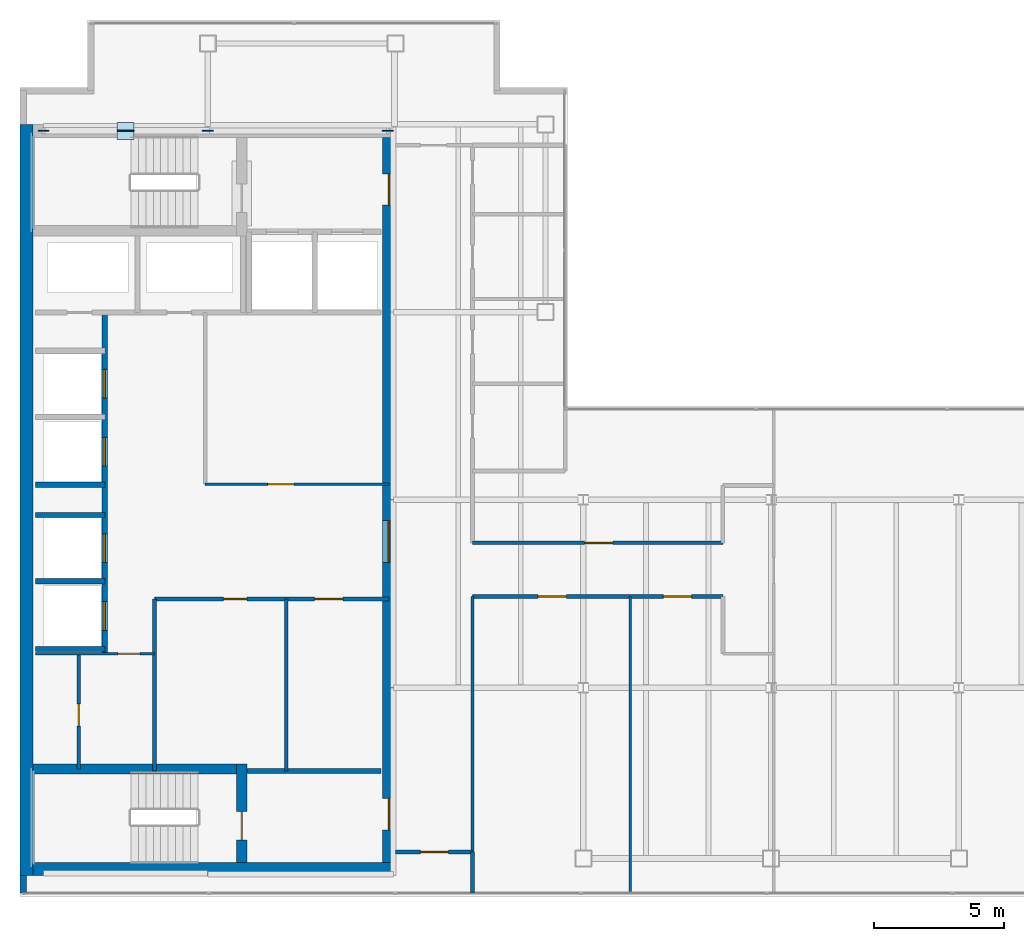
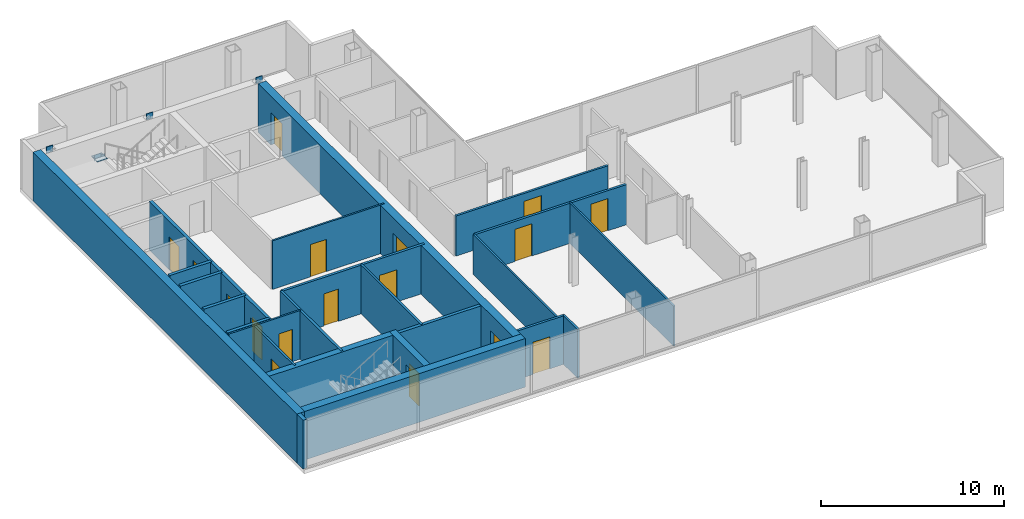
# One storey, part 20 of 23: 24 walls, 17 doors, 6 plates, 17 openings.
"""IFC4 building model written with IfcOpenShell, lengths in metres."""

import ifcopenshell
import ifcopenshell.guid

model = None  # the IFC model being written
_history = None  # IfcOwnerHistory: only IFC2X3 demands one
_inside = {}  # id of a spatial element -> (the spatial element, [elements in it])
_under = {}  # id of a project, library or spatial element -> (it, [spatial elements below it])
_declared = {}  # id of a project -> (the project, [libraries it declares])
_typed = {}  # id of a type object -> (the type object, [elements of that type])
_made_of = {}  # id of a material, layer set ... -> (it, [elements and type objects made of it])


def new_model(schema):
    """Start an empty IFC model of exactly this schema.

    Asked for "IFC4X3", IfcOpenShell would pick the latest addendum, in which some entities
    have other attributes; the version numbers below select the first issue.
    IFC2X3 requires an IfcOwnerHistory on every rooted entity: one is made here for all.
    """
    global model, _history
    if schema == "IFC4X3":
        model = ifcopenshell.file(schema_version=(4, 3, 0, 0))
    else:
        model = ifcopenshell.file(schema=schema)
    _inside.clear()
    _under.clear()
    _declared.clear()
    _typed.clear()
    _made_of.clear()
    _history = None
    if model.schema == "IFC2X3":
        org = make("IfcOrganization", Name="unknown")
        user = make(
            "IfcPersonAndOrganization",
            ThePerson=make("IfcPerson", FamilyName="unknown"),
            TheOrganization=org,
        )
        app = make(
            "IfcApplication",
            ApplicationDeveloper=org,
            Version="unknown",
            ApplicationFullName="unknown",
            ApplicationIdentifier="unknown",
        )
        _history = make(
            "IfcOwnerHistory",
            OwningUser=user,
            OwningApplication=app,
            ChangeAction="ADDED",
            CreationDate=0,
        )
    return model


def make(cls, **values):
    """One entity of the class cls with the attributes given. An attribute that is None is left unset."""
    return model.create_entity(
        cls, **{name: value for name, value in values.items() if value is not None}
    )


def rooted(cls, **values):
    """An entity with a GlobalId (a new one), such as an element, a storey or a relation."""
    return make(cls, GlobalId=ifcopenshell.guid.new(), OwnerHistory=_history, **values)


def si_unit(unit_type, name, prefix=None):
    """IfcSIUnit, for example si_unit("LENGTHUNIT", "METRE", prefix="MILLI")."""
    return make("IfcSIUnit", UnitType=unit_type, Prefix=prefix, Name=name)


def assignment(units):
    """IfcUnitAssignment: the units of a project."""
    return None if units is None else make("IfcUnitAssignment", Units=units)


def point(xyz):
    """IfcCartesianPoint."""
    return None if xyz is None else make("IfcCartesianPoint", Coordinates=xyz)


def direction(xyz):
    """IfcDirection."""
    return None if xyz is None else make("IfcDirection", DirectionRatios=xyz)


def frame(location, z_axis=None, x_axis=None):
    """IfcAxis2Placement3D, a coordinate frame: its origin and axes. An axis left out is left unset."""
    return make(
        "IfcAxis2Placement3D",
        Location=point(location),
        Axis=direction(z_axis),
        RefDirection=direction(x_axis),
    )


def frame_2d(location, x_axis=None):
    """IfcAxis2Placement2D, a coordinate frame in the plane: its origin and x axis."""
    return make(
        "IfcAxis2Placement2D", Location=point(location), RefDirection=direction(x_axis)
    )


def origin():
    """The frame at (0, 0, 0) with its axes left unset."""
    return frame((0.0, 0.0, 0.0))


def origin_2d():
    """The frame at (0, 0) in the plane with its x axis left unset."""
    return frame_2d((0.0, 0.0))


def place(relative_to, where):
    """IfcLocalPlacement: puts the frame where relative to a parent placement (None: the world)."""
    return make(
        "IfcLocalPlacement", PlacementRelTo=relative_to, RelativePlacement=where
    )


def context(
    kind, dimensions, precision=None, world=None, true_north=None, identifier=None
):
    """IfcGeometricRepresentationContext, for example the 3D "Model" context."""
    return make(
        "IfcGeometricRepresentationContext",
        ContextIdentifier=identifier,
        ContextType=kind,
        CoordinateSpaceDimension=dimensions,
        Precision=precision,
        WorldCoordinateSystem=world,
        TrueNorth=true_north,
    )


def subcontext(parent, identifier, kind, view, scale=None):
    """IfcGeometricRepresentationSubContext, for example "Body" below "Model"."""
    return make(
        "IfcGeometricRepresentationSubContext",
        ContextIdentifier=identifier,
        ContextType=kind,
        ParentContext=parent,
        TargetScale=scale,
        TargetView=view,
    )


def project(units=None, contexts=None):
    """IfcProject with its units and contexts."""
    return rooted(
        "IfcProject",
        Name="project",
        RepresentationContexts=contexts,
        UnitsInContext=assignment(units),
    )


def spatial(cls, under=None, at=None, **own):
    """A site, building, storey or space (cls), placed at a placement, below another one or the project."""
    s = rooted(cls, ObjectPlacement=at, **own)
    if under is not None:
        _under.setdefault(under.id(), (under, []))[1].append(s)
    return s


def profile(cls, at=None, kind="AREA", **sizes):
    """A parametric profile (cls). Its sizes go by their IFC names, for example OverallWidth=200.0."""
    return make(cls, ProfileType=kind, Position=at, **sizes)


def rectangle(**sizes):
    """IfcRectangleProfileDef."""
    return profile("IfcRectangleProfileDef", **sizes)


def extrude(swept, where, along, depth):
    """IfcExtrudedAreaSolid: the profile swept, set in the frame where, extruded along a direction by depth."""
    return make(
        "IfcExtrudedAreaSolid",
        SweptArea=swept,
        Position=where,
        ExtrudedDirection=direction(along),
        Depth=depth,
    )


def shape(context_of_items, identifier, shape_type, items):
    """IfcShapeRepresentation: the items that make up one representation, for example the "Body"."""
    return make(
        "IfcShapeRepresentation",
        ContextOfItems=context_of_items,
        RepresentationIdentifier=identifier,
        RepresentationType=shape_type,
        Items=items,
    )


def material(Name=None, Category=None):
    """IfcMaterial."""
    return make("IfcMaterial", Name=Name, Category=Category)


def layer(
    of_material, thickness, ventilated=None, Name=None, Category=None, Priority=None
):
    """IfcMaterialLayer: one layer of a wall or slab, of a material (None: an air gap)."""
    return make(
        "IfcMaterialLayer",
        Material=of_material,
        LayerThickness=thickness,
        IsVentilated=ventilated,
        Name=Name,
        Category=Category,
        Priority=Priority,
    )


def layer_set(layers, Name=None):
    """IfcMaterialLayerSet."""
    return make("IfcMaterialLayerSet", MaterialLayers=layers, LayerSetName=Name)


def made_of(thing, what):
    """Note that an element or type object is made of a material, layer set ...; save() writes the relation."""
    if what is not None:
        _made_of.setdefault(what.id(), (what, []))[1].append(thing)
    return thing


def type_object(cls, material=None, **own):
    """A type object (cls), such as IfcWallType, which elements share."""
    return made_of(rooted(cls, **own), material)


def element(
    cls,
    number,
    at=None,
    inside=None,
    cuts=None,
    type_object=None,
    material=None,
    context=None,
    identifier="Body",
    shape_type=None,
    held_by="IfcProductDefinitionShape",
    body=None,
    shapes=None,
    **own,
):
    """One element of the class cls, such as IfcWall. Its Tag is "e" and its number.

    at: its placement. inside: the storey or other place that contains it. cuts: it is an
    opening in that element (IfcRelVoidsElement). A single representation is given by context,
    identifier, shape_type and body (its items); several are given by shapes. held_by: the class
    of the entity that holds the representations. save() writes the other relations.
    """
    e = rooted(cls, Tag="e%d" % number, ObjectPlacement=at, **own)
    if body is not None:
        shapes = [shape(context, identifier, shape_type, body)]
    if shapes is not None:
        e.Representation = make(held_by, Representations=shapes)
    if inside is not None:
        _inside.setdefault(inside.id(), (inside, []))[1].append(e)
    if cuts is not None:
        rooted(
            "IfcRelVoidsElement", RelatingBuildingElement=cuts, RelatedOpeningElement=e
        )
    if type_object is not None:
        _typed.setdefault(type_object.id(), (type_object, []))[1].append(e)
    return made_of(e, material)


def fill(opening, filler):
    """IfcRelFillsElement: the door or window that sits in an opening."""
    return rooted(
        "IfcRelFillsElement",
        RelatingOpeningElement=opening,
        RelatedBuildingElement=filler,
    )


def aggregate(whole, parts):
    """IfcRelAggregates: a whole, such as a stair, and the parts it consists of."""
    return rooted("IfcRelAggregates", RelatingObject=whole, RelatedObjects=parts)


def save(model, path):
    """Write the relations noted so far, then the file.

    IfcRelAggregates (storeys below a building ...), IfcRelContainedInSpatialStructure (elements
    in a storey), IfcRelDefinesByType, IfcRelAssociatesMaterial and IfcRelDeclares: one each for
    every whole, place, type object, material and project.
    """
    for whole, parts in _under.values():
        aggregate(whole, parts)
    for where, things in _inside.values():
        rooted(
            "IfcRelContainedInSpatialStructure",
            RelatedElements=things,
            RelatingStructure=where,
        )
    for kind, things in _typed.values():
        rooted("IfcRelDefinesByType", RelatedObjects=things, RelatingType=kind)
    for what, things in _made_of.values():
        rooted("IfcRelAssociatesMaterial", RelatedObjects=things, RelatingMaterial=what)
    for by, libraries in _declared.values():
        rooted("IfcRelDeclares", RelatingContext=by, RelatedDefinitions=libraries)
    model.write(path)


model = new_model("IFC4")

# Units and contexts
model_context = context("Model", 3, precision=1e-05, world=origin(), true_north=direction((0.0, 1.0)))
body_context = subcontext(model_context, "Body", "Model", "MODEL_VIEW")
ifc_project = project(units=[si_unit("LENGTHUNIT", "METRE"), si_unit("AREAUNIT", "SQUARE_METRE"), si_unit("VOLUMEUNIT", "CUBIC_METRE"), si_unit("PLANEANGLEUNIT", "RADIAN"), si_unit("MASSUNIT", "GRAM", prefix="KILO")], contexts=[model_context])

# Site, building, storey
site_placement = place(None, origin())
site = spatial("IfcSite", under=ifc_project, at=site_placement, CompositionType="ELEMENT")
building_placement = place(site_placement, origin())
building = spatial("IfcBuilding", under=site, at=building_placement, Name="Cobrela Telecom Tower", CompositionType="ELEMENT")
storey_placement = place(building_placement, frame((0.0, 0.0, 265.64990234375)))
storey = spatial("IfcBuildingStorey", under=building, at=storey_placement, Name="L69", CompositionType="ELEMENT", Elevation=265.64990234375)

# Plates
ifc_material_1 = material(Name="Steel ASTM A572 Grade 50", Category="steel")
ifc_layer_1 = layer(ifc_material_1, 0.0419921875)
ifc_layer_set_1 = layer_set([ifc_layer_1], Name="Steel ASTM A572 Grade 50")
plate_type = type_object("IfcPlateType", Name="PLT-NODE-ND1", PredefinedType="USERDEFINED", material=ifc_layer_set_1)
for number, where, z_axis, x_axis, name in (
    (1, (7.199951171875, 35.75, 3.0751953125), (0.0, 0.0, 1.0), (1.0, 0.0, 0.0), "Steel node plate PLT-MBR-EXO-L69-N1-A-1"),
    (2, (4.173828125, 35.75, 1.349609375), (0.0, 0.0, 1.0), (-1.0, 0.0, 0.0), "Steel node plate PLT-MBR-EXO-L69-N1-B1-1"),
    (3, (3.926025390625, 35.75, 1.48046875), (0.0, 0.0, 1.0), (-1.0, 0.0, 0.0), "Steel node plate PLT-MBR-EXO-L69-N1-B2-0"),
    (4, (0.89990234375, 35.75, 3.0751953125), (0.0, 0.0, 1.0), (-1.0, 0.0, 0.0), "Steel node plate PLT-MBR-EXO-L69-N1-B2-1"),
):
    element("IfcPlate", number, at=place(storey_placement, frame(where, z_axis=z_axis, x_axis=x_axis)), inside=storey, type_object=plate_type, Name=name, ObjectType="GUSSET PLATE", PredefinedType="USERDEFINED", context=body_context, shape_type="SweptSolid", body=[
        extrude(rectangle(XDim=0.409912109375, YDim=0.044921875, at=origin_2d()), origin(), (0.0, 0.0, 1.0), 0.409912109375),
    ])
plate_1_placement = place(storey_placement, frame((4.050048828125, 35.75, 1.59765625), z_axis=(0.0, 0.0, 1.0), x_axis=(1.0, 0.0, 0.0)))
element("IfcPlate", 5, at=plate_1_placement, inside=storey, type_object=plate_type, Name="L69 Core Flange Steel X-Brace Central X-Crossing Gusset Plate", ObjectType="GUSSET PLATE", PredefinedType="USERDEFINED", context=body_context, shape_type="SweptSolid", body=[
    extrude(rectangle(XDim=0.64990234375, YDim=0.64990234375, at=origin_2d()), origin(), (0.0, 0.0, 1.0), 0.044921875),
])
plate_2_placement = place(storey_placement, frame((14.10009765625, 35.75, 3.0751953125), z_axis=(0.0, 0.0, 1.0), x_axis=(1.0, 0.0, 0.0)))
element("IfcPlate", 6, at=plate_2_placement, inside=storey, type_object=plate_type, Name="Steel node plate PLT-MBR-EXO-L69-N2-1", ObjectType="GUSSET PLATE", PredefinedType="USERDEFINED", context=body_context, shape_type="SweptSolid", body=[
    extrude(rectangle(XDim=0.409912109375, YDim=0.044921875, at=origin_2d()), origin(), (0.0, 0.0, 1.0), 0.409912109375),
])

# Walls
ifc_material_2 = material(Name="Concrete C40/50", Category="concrete")
ifc_layer_2 = layer(ifc_material_2, 0.5)
ifc_layer_set_2 = layer_set([ifc_layer_2], Name="Concrete C40/50")
wall_type_1 = type_object("IfcWallType", Name="WALL-CORE-C40-500", PredefinedType="SHEAR", material=ifc_layer_set_2)
wall_1_placement = place(storey_placement, frame((0.25, 7.199951171875, 0.0), z_axis=(0.0, 0.0, 1.0), x_axis=(0.0, 1.0, 0.0)))
element("IfcWall", 7, at=wall_1_placement, inside=storey, type_object=wall_type_1, Name="L69 West Core Shear Wall", PredefinedType="SHEAR", context=body_context, shape_type="SweptSolid", body=[
    extrude(rectangle(XDim=28.800048828125, YDim=0.5, at=frame_2d((14.39990234375, 0.0))), origin(), (0.0, 0.0, 1.0), 3.239990234375),
])
wall_2_placement = place(storey_placement, frame((0.5, 7.449951171875, 0.0), z_axis=(0.0, 0.0, 1.0), x_axis=(1.0, 0.0, 0.0)))
element("IfcWall", 8, at=wall_2_placement, inside=storey, type_object=wall_type_1, Name="L69 South Core Shear Wall", PredefinedType="SHEAR", context=body_context, shape_type="SweptSolid", body=[
    extrude(rectangle(XDim=13.89990234375, YDim=0.5, at=frame_2d((6.949951171875, 0.0))), origin(), (0.0, 0.0, 1.0), 3.239990234375),
])

# Wall, openings, doors
wall_3_placement = place(storey_placement, frame((14.14990234375, 35.5, 0.0), z_axis=(0.0, 0.0, 1.0), x_axis=(0.0, -1.0, 0.0)))
wall_3 = element("IfcWall", 9, at=wall_3_placement, inside=storey, type_object=wall_type_1, Name="L69 East Core Shear Wall", PredefinedType="SHEAR", context=body_context, shape_type="SweptSolid", body=[
    extrude(rectangle(XDim=27.800048828125, YDim=0.5, at=frame_2d((13.89990234375, 0.0))), origin(), (0.0, 0.0, 1.0), 3.239990234375),
])
opening_1_placement = place(wall_3_placement, frame((1.39990234375, 0.0, 0.0)))
opening_1 = element("IfcOpeningElement", 10, at=opening_1_placement, cuts=wall_3, Name="Opening DR-19", PredefinedType="OPENING", context=body_context, shape_type="SweptSolid", body=[
    extrude(rectangle(XDim=1.199951171875, YDim=2.14990234375, at=frame_2d((0.60009765625, 1.074951171875))), frame((0.0, 0.261962890625, 0.0), z_axis=(0.0, -1.0, 0.0), x_axis=(1.0, 0.0, 0.0)), (0.0, 0.0, 1.0), 0.52392578125),
])
opening_2_placement = place(wall_3_placement, frame((25.35009765625, 0.0, 0.0)))
opening_2 = element("IfcOpeningElement", 11, at=opening_2_placement, cuts=wall_3, Name="Opening DR-19", PredefinedType="OPENING", context=body_context, shape_type="SweptSolid", body=[
    extrude(rectangle(XDim=1.199951171875, YDim=2.14990234375, at=frame_2d((0.60009765625, 1.074951171875))), frame((0.0, 0.261962890625, 0.0), z_axis=(0.0, -1.0, 0.0), x_axis=(1.0, 0.0, 0.0)), (0.0, 0.0, 1.0), 0.52392578125),
])
opening_3_placement = place(wall_3_placement, frame((14.699951171875, 0.0, 0.0)))
opening_3 = element("IfcOpeningElement", 12, at=opening_3_placement, cuts=wall_3, Name="Opening DR-51", PredefinedType="OPENING", context=body_context, shape_type="SweptSolid", body=[
    extrude(rectangle(XDim=1.60009765625, YDim=2.199951171875, at=frame_2d((0.800048828125, 1.10009765625))), frame((0.0, 0.261962890625, 0.0), z_axis=(0.0, -1.0, 0.0), x_axis=(1.0, 0.0, 0.0)), (0.0, 0.0, 1.0), 0.52392578125),
])
ifc_material_3 = material(Name="Steel ASTM A36", Category="steel")
door_type_1 = type_object("IfcDoorType", Name="DOOR-FD60-1200", OperationType="SINGLE_SWING_LEFT", PredefinedType="DOOR", material=ifc_material_3)
door_1_placement = place(opening_1_placement, origin())
door_1 = element("IfcDoor", 13, at=door_1_placement, inside=storey, type_object=door_type_1, Name="L69 Door DR-19", OperationType="SINGLE_SWING_LEFT", OverallHeight=2.14990234375, OverallWidth=1.199951171875, PredefinedType="DOOR", context=body_context, shape_type="SweptSolid", body=[
    extrude(rectangle(XDim=1.199951171875, YDim=2.14990234375, at=frame_2d((0.60009765625, 1.074951171875))), frame((0.0, 0.02490234375, 0.0), z_axis=(0.0, -1.0, 0.0), x_axis=(1.0, 0.0, 0.0)), (0.0, 0.0, 1.0), 0.050048828125),
])
fill(opening_1, door_1)
door_2_placement = place(opening_2_placement, origin())
door_2 = element("IfcDoor", 14, at=door_2_placement, inside=storey, type_object=door_type_1, Name="L69 Door DR-19", OperationType="SINGLE_SWING_RIGHT", OverallHeight=2.14990234375, OverallWidth=1.199951171875, PredefinedType="DOOR", context=body_context, shape_type="SweptSolid", body=[
    extrude(rectangle(XDim=1.199951171875, YDim=2.14990234375, at=frame_2d((0.60009765625, 1.074951171875))), frame((0.0, 0.02490234375, 0.0), z_axis=(0.0, -1.0, 0.0), x_axis=(1.0, 0.0, 0.0)), (0.0, 0.0, 1.0), 0.050048828125),
])
fill(opening_2, door_2)
door_type_2 = type_object("IfcDoorType", Name="DOOR-FD60-1600", OperationType="SINGLE_SWING_LEFT", PredefinedType="DOOR", material=ifc_material_3)
door_3_placement = place(opening_3_placement, origin())
door_3 = element("IfcDoor", 15, at=door_3_placement, inside=storey, type_object=door_type_2, Name="L69 Door DR-51", OperationType="DOUBLE_DOOR_SINGLE_SWING", OverallHeight=2.199951171875, OverallWidth=1.60009765625, PredefinedType="DOOR", context=body_context, shape_type="SweptSolid", body=[
    extrude(rectangle(XDim=1.60009765625, YDim=2.199951171875, at=frame_2d((0.800048828125, 1.10009765625))), frame((0.0, 0.02490234375, 0.0), z_axis=(0.0, -1.0, 0.0), x_axis=(1.0, 0.0, 0.0)), (0.0, 0.0, 1.0), 0.050048828125),
])
fill(opening_3, door_3)

# Wall
ifc_layer_3 = layer(ifc_material_2, 0.239990234375)
ifc_layer_set_3 = layer_set([ifc_layer_3], Name="Concrete C40/50")
wall_type_2 = type_object("IfcWallType", Name="WALL-EXT-300", PredefinedType="STANDARD", material=ifc_layer_set_3)
wall_4_placement = place(storey_placement, frame((0.1201171875, 6.52001953125, 0.0), z_axis=(0.0, 0.0, 1.0), x_axis=(0.0, 1.0, 0.0)))
element("IfcWall", 16, at=wall_4_placement, inside=storey, type_object=wall_type_2, Name="L69 Insulated Facade Wall 01", PredefinedType="STANDARD", context=body_context, shape_type="SweptSolid", body=[
    extrude(rectangle(XDim=0.679931640625, YDim=0.239990234375, at=frame_2d((0.33984375, 0.0))), origin(), (0.0, 0.0, 1.0), 3.239990234375),
])

# Wall, opening, door
ifc_material_4 = material(Name="Fire-Rated Gypsum Plasterboard")
ifc_layer_4 = layer(ifc_material_4, 0.110107421875)
ifc_layer_set_4 = layer_set([ifc_layer_4], Name="Fire-Rated Gypsum Plasterboard")
wall_type_3 = type_object("IfcWallType", Name="WALL-PART-110", PredefinedType="PARTITIONING", material=ifc_layer_set_4)
wall_5_placement = place(storey_placement, frame((7.10009765625, 22.199951171875, 0.0), z_axis=(0.0, 0.0, 1.0), x_axis=(1.0, 0.0, 0.0)))
wall_5 = element("IfcWall", 17, at=wall_5_placement, inside=storey, type_object=wall_type_3, Name="L69 Interior Partition CW-RECL-S", PredefinedType="PARTITIONING", context=body_context, shape_type="SweptSolid", body=[
    extrude(rectangle(XDim=7.0498046875, YDim=0.110107421875, at=frame_2d((3.52490234375, 0.0))), origin(), (0.0, 0.0, 1.0), 3.239990234375),
])
opening_4_placement = place(wall_5_placement, frame((2.39990234375, 0.0, 0.0)))
opening_4 = element("IfcOpeningElement", 18, at=opening_4_placement, cuts=wall_5, Name="Opening DR-31", PredefinedType="OPENING", context=body_context, shape_type="SweptSolid", body=[
    extrude(rectangle(XDim=1.0, YDim=2.14990234375, at=frame_2d((0.5, 1.074951171875))), frame((0.0, 0.06689453125, 0.0), z_axis=(0.0, -1.0, 0.0), x_axis=(1.0, 0.0, 0.0)), (0.0, 0.0, 1.0), 0.134033203125),
])
ifc_material_5 = material(Name="Solid Engineered Oak Timber", Category="wood")
door_type_3 = type_object("IfcDoorType", Name="DOOR-INT-1000", OperationType="SINGLE_SWING_LEFT", PredefinedType="DOOR", material=ifc_material_5)
door_4_placement = place(opening_4_placement, origin())
door_4 = element("IfcDoor", 19, at=door_4_placement, inside=storey, type_object=door_type_3, Name="L69 Door DR-31", OperationType="SINGLE_SWING_LEFT", OverallHeight=2.14990234375, OverallWidth=1.0, PredefinedType="DOOR", context=body_context, shape_type="SweptSolid", body=[
    extrude(rectangle(XDim=1.0, YDim=2.14990234375, at=frame_2d((0.5, 1.074951171875))), frame((0.0, 0.02490234375, 0.0), z_axis=(0.0, -1.0, 0.0), x_axis=(1.0, 0.0, 0.0)), (0.0, 0.0, 1.0), 0.050048828125),
])
fill(opening_4, door_4)

wall_6_placement = place(storey_placement, frame((0.60009765625, 15.699951171875, 0.0), z_axis=(0.0, 0.0, 1.0), x_axis=(1.0, 0.0, 0.0)))
wall_6 = element("IfcWall", 20, at=wall_6_placement, inside=storey, type_object=wall_type_3, Name="L69 Interior Partition CW-FLEX-N", PredefinedType="PARTITIONING", context=body_context, shape_type="SweptSolid", body=[
    extrude(rectangle(XDim=4.5498046875, YDim=0.110107421875, at=frame_2d((2.27490234375, 0.0))), origin(), (0.0, 0.0, 1.0), 3.239990234375),
])
opening_5_placement = place(wall_6_placement, frame((3.14990234375, 0.0, 0.0)))
opening_5 = element("IfcOpeningElement", 21, at=opening_5_placement, cuts=wall_6, Name="Opening DR-11", PredefinedType="OPENING", context=body_context, shape_type="SweptSolid", body=[
    extrude(rectangle(XDim=0.85009765625, YDim=2.14990234375, at=frame_2d((0.425048828125, 1.074951171875))), frame((0.0, 0.06689453125, 0.0), z_axis=(0.0, -1.0, 0.0), x_axis=(1.0, 0.0, 0.0)), (0.0, 0.0, 1.0), 0.134033203125),
])
door_type_4 = type_object("IfcDoorType", Name="DOOR-INT-850", OperationType="SINGLE_SWING_LEFT", PredefinedType="DOOR", material=ifc_material_5)
door_5_placement = place(opening_5_placement, origin())
door_5 = element("IfcDoor", 22, at=door_5_placement, inside=storey, type_object=door_type_4, Name="L69 Door DR-11", OperationType="SINGLE_SWING_RIGHT", OverallHeight=2.14990234375, OverallWidth=0.85009765625, PredefinedType="DOOR", context=body_context, shape_type="SweptSolid", body=[
    extrude(rectangle(XDim=0.85009765625, YDim=2.14990234375, at=frame_2d((0.425048828125, 1.074951171875))), frame((0.0, 0.02490234375, 0.0), z_axis=(0.0, -1.0, 0.0), x_axis=(1.0, 0.0, 0.0)), (0.0, 0.0, 1.0), 0.050048828125),
])
fill(opening_5, door_5)

# Walls
wall_7_placement = place(storey_placement, frame((17.35009765625, 8.10009765625, 0.0), z_axis=(0.0, 0.0, 1.0), x_axis=(0.0, 1.0, 0.0)))
element("IfcWall", 23, at=wall_7_placement, inside=storey, type_object=wall_type_3, Name="L69 Interior Partition W-C-E1", PredefinedType="PARTITIONING", context=body_context, shape_type="SweptSolid", body=[
    extrude(rectangle(XDim=9.7998046875, YDim=0.110107421875, at=frame_2d((4.89990234375, 0.0))), origin(), (0.0, 0.0, 1.0), 2.676025390625),
])
wall_8_placement = place(storey_placement, frame((23.39990234375, 6.52001953125, 0.0), z_axis=(0.0, 0.0, 1.0), x_axis=(0.0, 1.0, 0.0)))
element("IfcWall", 24, at=wall_8_placement, inside=storey, type_object=wall_type_3, Name="L69 Interior Partition W-SV-1", PredefinedType="PARTITIONING", context=body_context, shape_type="SweptSolid", body=[
    extrude(rectangle(XDim=11.3798828125, YDim=0.110107421875, at=frame_2d((5.68994140625, 0.0))), origin(), (0.0, 0.0, 1.0), 2.676025390625),
])

# Wall, opening, door
ifc_layer_5 = layer(ifc_material_4, 0.125)
ifc_layer_set_5 = layer_set([ifc_layer_5], Name="Fire-Rated Gypsum Plasterboard")
wall_type_4 = type_object("IfcWallType", Name="WALL-PART-125", PredefinedType="PARTITIONING", material=ifc_layer_set_5)
wall_9_placement = place(storey_placement, frame((2.25, 11.280029296875, 0.0), z_axis=(0.0, 0.0, 1.0), x_axis=(0.0, 1.0, 0.0)))
wall_9 = element("IfcWall", 25, at=wall_9_placement, inside=storey, type_object=wall_type_4, Name="L69 Interior Partition CW-FK0-V", PredefinedType="PARTITIONING", context=body_context, shape_type="SweptSolid", body=[
    extrude(rectangle(XDim=4.419921875, YDim=0.125, at=frame_2d((2.2099609375, 0.0))), origin(), (0.0, 0.0, 1.0), 3.239990234375),
])
opening_6_placement = place(wall_9_placement, frame((1.64990234375, 0.0, 0.0)))
opening_6 = element("IfcOpeningElement", 26, at=opening_6_placement, cuts=wall_9, Name="Opening DR-11", PredefinedType="OPENING", context=body_context, shape_type="SweptSolid", body=[
    extrude(rectangle(XDim=0.85009765625, YDim=2.14990234375, at=frame_2d((0.425048828125, 1.074951171875))), frame((0.0, 0.074462890625, 0.0), z_axis=(0.0, -1.0, 0.0), x_axis=(1.0, 0.0, 0.0)), (0.0, 0.0, 1.0), 0.14892578125),
])
door_6_placement = place(opening_6_placement, origin())
door_6 = element("IfcDoor", 27, at=door_6_placement, inside=storey, type_object=door_type_4, Name="L69 Door DR-11", OperationType="SINGLE_SWING_LEFT", OverallHeight=2.14990234375, OverallWidth=0.85009765625, PredefinedType="DOOR", context=body_context, shape_type="SweptSolid", body=[
    extrude(rectangle(XDim=0.85009765625, YDim=2.14990234375, at=frame_2d((0.425048828125, 1.074951171875))), frame((0.0, 0.02490234375, 0.0), z_axis=(0.0, -1.0, 0.0), x_axis=(1.0, 0.0, 0.0)), (0.0, 0.0, 1.0), 0.050048828125),
])
fill(opening_6, door_6)

# Wall
ifc_layer_6 = layer(ifc_material_4, 0.135009765625)
ifc_layer_set_6 = layer_set([ifc_layer_6], Name="Fire-Rated Gypsum Plasterboard")
wall_type_5 = type_object("IfcWallType", Name="WALL-PART-135", PredefinedType="PARTITIONING", material=ifc_layer_set_6)
wall_10_placement = place(storey_placement, frame((10.199951171875, 11.199951171875, 0.0), z_axis=(0.0, 0.0, 1.0), x_axis=(0.0, 1.0, 0.0)))
element("IfcWall", 28, at=wall_10_placement, inside=storey, type_object=wall_type_5, Name="L69 Interior Partition CW-RECM-V", PredefinedType="PARTITIONING", context=body_context, shape_type="SweptSolid", body=[
    extrude(rectangle(XDim=6.60009765625, YDim=0.135009765625, at=frame_2d((3.300048828125, 0.0))), origin(), (0.0, 0.0, 1.0), 3.239990234375),
])

# Wall, opening, door
wall_11_placement = place(storey_placement, frame((17.35009765625, 19.949951171875, 0.0), z_axis=(0.0, 0.0, 1.0), x_axis=(1.0, 0.0, 0.0)))
wall_11 = element("IfcWall", 29, at=wall_11_placement, inside=storey, type_object=wall_type_5, Name="L69 Interior Partition W-C-HN", PredefinedType="PARTITIONING", context=body_context, shape_type="SweptSolid", body=[
    extrude(rectangle(XDim=9.599853515625, YDim=0.135009765625, at=frame_2d((4.7998046875, 0.0))), origin(), (0.0, 0.0, 1.0), 2.676025390625),
])
opening_7_placement = place(wall_11_placement, frame((4.300048828125, 0.0, 0.0)))
opening_7 = element("IfcOpeningElement", 30, at=opening_7_placement, cuts=wall_11, Name="Opening DR-63", PredefinedType="OPENING", context=body_context, shape_type="SweptSolid", body=[
    extrude(rectangle(XDim=1.080078125, YDim=2.14990234375, at=frame_2d((0.5400390625, 1.074951171875))), frame((0.0, 0.07958984375, 0.0), z_axis=(0.0, -1.0, 0.0), x_axis=(1.0, 0.0, 0.0)), (0.0, 0.0, 1.0), 0.158935546875),
])
door_type_5 = type_object("IfcDoorType", Name="DOOR-INT-1080", OperationType="SINGLE_SWING_LEFT", PredefinedType="DOOR", material=ifc_material_5)
door_7_placement = place(opening_7_placement, origin())
door_7 = element("IfcDoor", 31, at=door_7_placement, inside=storey, type_object=door_type_5, Name="L69 Door DR-63", OperationType="SINGLE_SWING_LEFT", OverallHeight=2.14990234375, OverallWidth=1.080078125, PredefinedType="DOOR", context=body_context, shape_type="SweptSolid", body=[
    extrude(rectangle(XDim=1.080078125, YDim=2.14990234375, at=frame_2d((0.5400390625, 1.074951171875))), frame((0.0, 0.02490234375, 0.0), z_axis=(0.0, -1.0, 0.0), x_axis=(1.0, 0.0, 0.0)), (0.0, 0.0, 1.0), 0.050048828125),
])
fill(opening_7, door_7)

# Walls
wall_12_placement = place(storey_placement, frame((17.35009765625, 6.52001953125, 0.0), z_axis=(0.0, 0.0, 1.0), x_axis=(0.0, 1.0, 0.0)))
element("IfcWall", 32, at=wall_12_placement, inside=storey, type_object=wall_type_5, Name="L69 Interior Partition W-SW-E", PredefinedType="PARTITIONING", context=body_context, shape_type="SweptSolid", body=[
    extrude(rectangle(XDim=1.580078125, YDim=0.135009765625, at=frame_2d((0.7900390625, 0.0))), origin(), (0.0, 0.0, 1.0), 3.239990234375),
])
ifc_layer_7 = layer(ifc_material_4, 0.14990234375)
ifc_layer_set_7 = layer_set([ifc_layer_7], Name="Fire-Rated Gypsum Plasterboard")
wall_type_6 = type_object("IfcWallType", Name="WALL-PART-150", PredefinedType="PARTITIONING", material=ifc_layer_set_7)
wall_13_placement = place(storey_placement, frame((5.14990234375, 11.199951171875, 0.0), z_axis=(0.0, 0.0, 1.0), x_axis=(0.0, 1.0, 0.0)))
element("IfcWall", 33, at=wall_13_placement, inside=storey, type_object=wall_type_6, Name="L69 Interior Partition CW-RECM-W", PredefinedType="PARTITIONING", context=body_context, shape_type="SweptSolid", body=[
    extrude(rectangle(XDim=6.60009765625, YDim=0.14990234375, at=frame_2d((3.300048828125, 0.0))), origin(), (0.0, 0.0, 1.0), 3.239990234375),
])

# Wall, opening, door
wall_14_placement = place(storey_placement, frame((14.39990234375, 8.10009765625, 0.0), z_axis=(0.0, 0.0, 1.0), x_axis=(1.0, 0.0, 0.0)))
wall_14 = element("IfcWall", 34, at=wall_14_placement, inside=storey, type_object=wall_type_6, Name="L69 Interior Partition W-C-S0", PredefinedType="PARTITIONING", context=body_context, shape_type="SweptSolid", body=[
    extrude(rectangle(XDim=2.9501953125, YDim=0.14990234375, at=frame_2d((1.47509765625, 0.0))), origin(), (0.0, 0.0, 1.0), 3.239990234375),
])
opening_8_placement = place(wall_14_placement, frame((0.949951171875, 0.0, 0.0)))
opening_8 = element("IfcOpeningElement", 35, at=opening_8_placement, cuts=wall_14, Name="Opening DR-63", PredefinedType="OPENING", context=body_context, shape_type="SweptSolid", body=[
    extrude(rectangle(XDim=1.080078125, YDim=2.14990234375, at=frame_2d((0.5400390625, 1.074951171875))), frame((0.0, 0.0869140625, 0.0), z_axis=(0.0, -1.0, 0.0), x_axis=(1.0, 0.0, 0.0)), (0.0, 0.0, 1.0), 0.173828125),
])
door_8_placement = place(opening_8_placement, origin())
door_8 = element("IfcDoor", 36, at=door_8_placement, inside=storey, type_object=door_type_5, Name="L69 Door DR-63", OperationType="SINGLE_SWING_RIGHT", OverallHeight=2.14990234375, OverallWidth=1.080078125, PredefinedType="DOOR", context=body_context, shape_type="SweptSolid", body=[
    extrude(rectangle(XDim=1.080078125, YDim=2.14990234375, at=frame_2d((0.5400390625, 1.074951171875))), frame((0.0, 0.02490234375, 0.0), z_axis=(0.0, -1.0, 0.0), x_axis=(1.0, 0.0, 0.0)), (0.0, 0.0, 1.0), 0.050048828125),
])
fill(opening_8, door_8)

# Wall, openings, doors
wall_15_placement = place(storey_placement, frame((17.35009765625, 17.89990234375, 0.0), z_axis=(0.0, 0.0, 1.0), x_axis=(1.0, 0.0, 0.0)))
wall_15 = element("IfcWall", 37, at=wall_15_placement, inside=storey, type_object=wall_type_6, Name="L69 Interior Partition W-C-HS", PredefinedType="PARTITIONING", context=body_context, shape_type="SweptSolid", body=[
    extrude(rectangle(XDim=9.599853515625, YDim=0.14990234375, at=frame_2d((4.7998046875, 0.0))), origin(), (0.0, 0.0, 1.0), 2.676025390625),
])
opening_9_placement = place(wall_15_placement, frame((2.52001953125, 0.0, 0.0)))
opening_9 = element("IfcOpeningElement", 38, at=opening_9_placement, cuts=wall_15, Name="Opening DR-63", PredefinedType="OPENING", context=body_context, shape_type="SweptSolid", body=[
    extrude(rectangle(XDim=1.080078125, YDim=2.14990234375, at=frame_2d((0.5400390625, 1.074951171875))), frame((0.0, 0.0869140625, 0.0), z_axis=(0.0, -1.0, 0.0), x_axis=(1.0, 0.0, 0.0)), (0.0, 0.0, 1.0), 0.173828125),
])
opening_10_placement = place(wall_15_placement, frame((7.320068359375, 0.0, 0.0)))
opening_10 = element("IfcOpeningElement", 39, at=opening_10_placement, cuts=wall_15, Name="Opening DR-63", PredefinedType="OPENING", context=body_context, shape_type="SweptSolid", body=[
    extrude(rectangle(XDim=1.080078125, YDim=2.14990234375, at=frame_2d((0.5400390625, 1.074951171875))), frame((0.0, 0.0869140625, 0.0), z_axis=(0.0, -1.0, 0.0), x_axis=(1.0, 0.0, 0.0)), (0.0, 0.0, 1.0), 0.173828125),
])
door_9_placement = place(opening_9_placement, origin())
door_9 = element("IfcDoor", 40, at=door_9_placement, inside=storey, type_object=door_type_5, Name="L69 Door DR-63", OperationType="SINGLE_SWING_LEFT", OverallHeight=2.14990234375, OverallWidth=1.080078125, PredefinedType="DOOR", context=body_context, shape_type="SweptSolid", body=[
    extrude(rectangle(XDim=1.080078125, YDim=2.14990234375, at=frame_2d((0.5400390625, 1.074951171875))), frame((0.0, 0.02490234375, 0.0), z_axis=(0.0, -1.0, 0.0), x_axis=(1.0, 0.0, 0.0)), (0.0, 0.0, 1.0), 0.050048828125),
])
fill(opening_9, door_9)
door_10_placement = place(opening_10_placement, origin())
door_10 = element("IfcDoor", 41, at=door_10_placement, inside=storey, type_object=door_type_5, Name="L69 Door DR-63", OperationType="SINGLE_SWING_RIGHT", OverallHeight=2.14990234375, OverallWidth=1.080078125, PredefinedType="DOOR", context=body_context, shape_type="SweptSolid", body=[
    extrude(rectangle(XDim=1.080078125, YDim=2.14990234375, at=frame_2d((0.5400390625, 1.074951171875))), frame((0.0, 0.02490234375, 0.0), z_axis=(0.0, -1.0, 0.0), x_axis=(1.0, 0.0, 0.0)), (0.0, 0.0, 1.0), 0.050048828125),
])
fill(opening_10, door_10)

ifc_layer_8 = layer(ifc_material_4, 0.159912109375)
ifc_layer_set_8 = layer_set([ifc_layer_8], Name="Fire-Rated Gypsum Plasterboard")
wall_type_7 = type_object("IfcWallType", Name="WALL-PART-160", PredefinedType="PARTITIONING", material=ifc_layer_set_8)
wall_16_placement = place(storey_placement, frame((5.14990234375, 17.800048828125, 0.0), z_axis=(0.0, 0.0, 1.0), x_axis=(1.0, 0.0, 0.0)))
wall_16 = element("IfcWall", 42, at=wall_16_placement, inside=storey, type_object=wall_type_7, Name="L69 Interior Partition CW-RECM-N", PredefinedType="PARTITIONING", context=body_context, shape_type="SweptSolid", body=[
    extrude(rectangle(XDim=9.0, YDim=0.159912109375, at=frame_2d((4.5, 0.0))), origin(), (0.0, 0.0, 1.0), 3.239990234375),
])
opening_11_placement = place(wall_16_placement, frame((2.64990234375, 0.0, 0.0)))
opening_11 = element("IfcOpeningElement", 43, at=opening_11_placement, cuts=wall_16, Name="Opening DR-41", PredefinedType="OPENING", context=body_context, shape_type="SweptSolid", body=[
    extrude(rectangle(XDim=0.89990234375, YDim=2.14990234375, at=frame_2d((0.449951171875, 1.074951171875))), frame((0.0, 0.091796875, 0.0), z_axis=(0.0, -1.0, 0.0), x_axis=(1.0, 0.0, 0.0)), (0.0, 0.0, 1.0), 0.183837890625),
])
opening_12_placement = place(wall_16_placement, frame((6.14990234375, 0.0, 0.0)))
opening_12 = element("IfcOpeningElement", 44, at=opening_12_placement, cuts=wall_16, Name="Opening DR-63", PredefinedType="OPENING", context=body_context, shape_type="SweptSolid", body=[
    extrude(rectangle(XDim=1.080078125, YDim=2.14990234375, at=frame_2d((0.5400390625, 1.074951171875))), frame((0.0, 0.091796875, 0.0), z_axis=(0.0, -1.0, 0.0), x_axis=(1.0, 0.0, 0.0)), (0.0, 0.0, 1.0), 0.183837890625),
])
door_11_placement = place(opening_12_placement, origin())
door_11 = element("IfcDoor", 45, at=door_11_placement, inside=storey, type_object=door_type_5, Name="L69 Door DR-63", OperationType="SINGLE_SWING_RIGHT", OverallHeight=2.14990234375, OverallWidth=1.080078125, PredefinedType="DOOR", context=body_context, shape_type="SweptSolid", body=[
    extrude(rectangle(XDim=1.080078125, YDim=2.14990234375, at=frame_2d((0.5400390625, 1.074951171875))), frame((0.0, 0.02490234375, 0.0), z_axis=(0.0, -1.0, 0.0), x_axis=(1.0, 0.0, 0.0)), (0.0, 0.0, 1.0), 0.050048828125),
])
fill(opening_12, door_11)
door_type_6 = type_object("IfcDoorType", Name="DOOR-INT-900", OperationType="SINGLE_SWING_LEFT", PredefinedType="DOOR", material=ifc_material_5)
door_12_placement = place(opening_11_placement, origin())
door_12 = element("IfcDoor", 46, at=door_12_placement, inside=storey, type_object=door_type_6, Name="L69 Door DR-41", OperationType="SINGLE_SWING_LEFT", OverallHeight=2.14990234375, OverallWidth=0.89990234375, PredefinedType="DOOR", context=body_context, shape_type="SweptSolid", body=[
    extrude(rectangle(XDim=0.89990234375, YDim=2.14990234375, at=frame_2d((0.449951171875, 1.074951171875))), frame((0.0, 0.02490234375, 0.0), z_axis=(0.0, -1.0, 0.0), x_axis=(1.0, 0.0, 0.0)), (0.0, 0.0, 1.0), 0.050048828125),
])
fill(opening_11, door_12)

# Wall
ifc_layer_9 = layer(ifc_material_4, 0.199951171875)
ifc_layer_set_9 = layer_set([ifc_layer_9], Name="Fire-Rated Gypsum Plasterboard")
wall_type_8 = type_object("IfcWallType", Name="WALL-SHAFT-200", PredefinedType="PARTITIONING", material=ifc_layer_set_9)
wall_17_placement = place(storey_placement, frame((8.699951171875, 11.199951171875, 0.0), z_axis=(0.0, 0.0, 1.0), x_axis=(1.0, 0.0, 0.0)))
element("IfcWall", 47, at=wall_17_placement, inside=storey, type_object=wall_type_8, Name="L69 Shaft Enclosure CW-ST2L-N", PredefinedType="PARTITIONING", context=body_context, shape_type="SweptSolid", body=[
    extrude(rectangle(XDim=5.150146484375, YDim=0.199951171875, at=frame_2d((2.5751953125, 0.0))), origin(), (0.0, 0.0, 1.0), 3.239990234375),
])

# Wall, openings, doors
wall_18_placement = place(storey_placement, frame((3.25, 15.699951171875, 0.0), z_axis=(0.0, 0.0, 1.0), x_axis=(0.0, 1.0, 0.0)))
wall_18 = element("IfcWall", 48, at=wall_18_placement, inside=storey, type_object=wall_type_8, Name="L69 Shaft Enclosure CW-PLH-E", PredefinedType="PARTITIONING", context=body_context, shape_type="SweptSolid", body=[
    extrude(rectangle(XDim=13.080078125, YDim=0.199951171875, at=frame_2d((6.5400390625, 0.0))), origin(), (0.0, 0.0, 1.0), 3.239990234375),
])
opening_13_placement = place(wall_18_placement, frame((0.89990234375, 0.0, 0.0)))
opening_13 = element("IfcOpeningElement", 49, at=opening_13_placement, cuts=wall_18, Name="Opening LD-1", PredefinedType="OPENING", context=body_context, shape_type="SweptSolid", body=[
    extrude(rectangle(XDim=1.10009765625, YDim=2.199951171875, at=frame_2d((0.550048828125, 1.10009765625))), frame((0.0, 0.11181640625, 0.0), z_axis=(0.0, -1.0, 0.0), x_axis=(1.0, 0.0, 0.0)), (0.0, 0.0, 1.0), 0.223876953125),
])
opening_14_placement = place(wall_18_placement, frame((3.5, 0.0, 0.0)))
opening_14 = element("IfcOpeningElement", 50, at=opening_14_placement, cuts=wall_18, Name="Opening LD-1", PredefinedType="OPENING", context=body_context, shape_type="SweptSolid", body=[
    extrude(rectangle(XDim=1.10009765625, YDim=2.199951171875, at=frame_2d((0.550048828125, 1.10009765625))), frame((0.0, 0.11181640625, 0.0), z_axis=(0.0, -1.0, 0.0), x_axis=(1.0, 0.0, 0.0)), (0.0, 0.0, 1.0), 0.223876953125),
])
opening_15_placement = place(wall_18_placement, frame((7.199951171875, 0.0, 0.0)))
opening_15 = element("IfcOpeningElement", 51, at=opening_15_placement, cuts=wall_18, Name="Opening LD-1", PredefinedType="OPENING", context=body_context, shape_type="SweptSolid", body=[
    extrude(rectangle(XDim=1.10009765625, YDim=2.199951171875, at=frame_2d((0.550048828125, 1.10009765625))), frame((0.0, 0.11181640625, 0.0), z_axis=(0.0, -1.0, 0.0), x_axis=(1.0, 0.0, 0.0)), (0.0, 0.0, 1.0), 0.223876953125),
])
opening_16_placement = place(wall_18_placement, frame((9.800048828125, 0.0, 0.0)))
opening_16 = element("IfcOpeningElement", 52, at=opening_16_placement, cuts=wall_18, Name="Opening LD-1", PredefinedType="OPENING", context=body_context, shape_type="SweptSolid", body=[
    extrude(rectangle(XDim=1.10009765625, YDim=2.199951171875, at=frame_2d((0.550048828125, 1.10009765625))), frame((0.0, 0.11181640625, 0.0), z_axis=(0.0, -1.0, 0.0), x_axis=(1.0, 0.0, 0.0)), (0.0, 0.0, 1.0), 0.223876953125),
])
door_type_7 = type_object("IfcDoorType", Name="DOOR-LD-PL", OperationType="SINGLE_SWING_LEFT", PredefinedType="DOOR", material=ifc_material_3)
door_13_placement = place(opening_13_placement, origin())
door_13 = element("IfcDoor", 53, at=door_13_placement, inside=storey, type_object=door_type_7, Name="L69 Lift Landing Door LD-1", OperationType="DOUBLE_DOOR_SLIDING", OverallHeight=2.199951171875, OverallWidth=1.10009765625, PredefinedType="DOOR", context=body_context, shape_type="SweptSolid", body=[
    extrude(rectangle(XDim=1.10009765625, YDim=2.199951171875, at=frame_2d((0.550048828125, 1.10009765625))), frame((0.0, 0.02490234375, 0.0), z_axis=(0.0, -1.0, 0.0), x_axis=(1.0, 0.0, 0.0)), (0.0, 0.0, 1.0), 0.050048828125),
])
fill(opening_13, door_13)
door_14_placement = place(opening_14_placement, origin())
door_14 = element("IfcDoor", 54, at=door_14_placement, inside=storey, type_object=door_type_7, Name="L69 Lift Landing Door LD-1", OperationType="DOUBLE_DOOR_SLIDING", OverallHeight=2.199951171875, OverallWidth=1.10009765625, PredefinedType="DOOR", context=body_context, shape_type="SweptSolid", body=[
    extrude(rectangle(XDim=1.10009765625, YDim=2.199951171875, at=frame_2d((0.550048828125, 1.10009765625))), frame((0.0, 0.02490234375, 0.0), z_axis=(0.0, -1.0, 0.0), x_axis=(1.0, 0.0, 0.0)), (0.0, 0.0, 1.0), 0.050048828125),
])
fill(opening_14, door_14)
door_15_placement = place(opening_15_placement, origin())
door_15 = element("IfcDoor", 55, at=door_15_placement, inside=storey, type_object=door_type_7, Name="L69 Lift Landing Door LD-1", OperationType="DOUBLE_DOOR_SLIDING", OverallHeight=2.199951171875, OverallWidth=1.10009765625, PredefinedType="DOOR", context=body_context, shape_type="SweptSolid", body=[
    extrude(rectangle(XDim=1.10009765625, YDim=2.199951171875, at=frame_2d((0.550048828125, 1.10009765625))), frame((0.0, 0.02490234375, 0.0), z_axis=(0.0, -1.0, 0.0), x_axis=(1.0, 0.0, 0.0)), (0.0, 0.0, 1.0), 0.050048828125),
])
fill(opening_15, door_15)
door_16_placement = place(opening_16_placement, origin())
door_16 = element("IfcDoor", 56, at=door_16_placement, inside=storey, type_object=door_type_7, Name="L69 Lift Landing Door LD-1", OperationType="DOUBLE_DOOR_SLIDING", OverallHeight=2.199951171875, OverallWidth=1.10009765625, PredefinedType="DOOR", context=body_context, shape_type="SweptSolid", body=[
    extrude(rectangle(XDim=1.10009765625, YDim=2.199951171875, at=frame_2d((0.550048828125, 1.10009765625))), frame((0.0, 0.02490234375, 0.0), z_axis=(0.0, -1.0, 0.0), x_axis=(1.0, 0.0, 0.0)), (0.0, 0.0, 1.0), 0.050048828125),
])
fill(opening_16, door_16)

# Walls
for number, where, z_axis, x_axis, name in (
    (57, (0.60009765625, 15.8798828125, 0.0), (0.0, 0.0, 1.0), (1.0, 0.0, 0.0), "L69 Shaft Enclosure CW-PLH-D9"),
    (58, (0.60009765625, 18.47998046875, 0.0), (0.0, 0.0, 1.0), (1.0, 0.0, 0.0), "L69 Shaft Enclosure CW-PLH-D10"),
    (59, (0.60009765625, 22.179931640625, 0.0), (0.0, 0.0, 1.0), (1.0, 0.0, 0.0), "L69 Shaft Enclosure CW-PLH-D11"),
    (60, (0.60009765625, 21.02001953125, 0.0), (0.0, 0.0, 1.0), (1.0, 0.0, 0.0), "L69 Shaft Enclosure CW-PLH-MID"),
):
    element("IfcWall", number, at=place(storey_placement, frame(where, z_axis=z_axis, x_axis=x_axis)), inside=storey, type_object=wall_type_8, Name=name, PredefinedType="PARTITIONING", context=body_context, shape_type="SweptSolid", body=[
        extrude(rectangle(XDim=2.64990234375, YDim=0.199951171875, at=frame_2d((1.324951171875, 0.0))), origin(), (0.0, 0.0, 1.0), 3.239990234375),
    ])
ifc_layer_10 = layer(ifc_material_2, 0.39990234375)
ifc_layer_set_10 = layer_set([ifc_layer_10], Name="Concrete C40/50")
wall_type_9 = type_object("IfcWallType", Name="WALL-SHAFT-C40-400", PredefinedType="SHEAR", material=ifc_layer_set_10)
wall_19_placement = place(storey_placement, frame((0.5, 11.280029296875, 0.0), z_axis=(0.0, 0.0, 1.0), x_axis=(1.0, 0.0, 0.0)))
element("IfcWall", 61, at=wall_19_placement, inside=storey, type_object=wall_type_9, Name="L69 South Stair Shear Wall", PredefinedType="SHEAR", context=body_context, shape_type="SweptSolid", body=[
    extrude(rectangle(XDim=7.800048828125, YDim=0.39990234375, at=frame_2d((3.89990234375, 0.0))), origin(), (0.0, 0.0, 1.0), 3.239990234375),
])

# Wall, opening, door
wall_20_placement = place(storey_placement, frame((8.5, 7.699951171875, 0.0), z_axis=(0.0, 0.0, 1.0), x_axis=(0.0, 1.0, 0.0)))
wall_20 = element("IfcWall", 62, at=wall_20_placement, inside=storey, type_object=wall_type_9, Name="L69 South Stair Lobby Shear Wall", PredefinedType="SHEAR", context=body_context, shape_type="SweptSolid", body=[
    extrude(rectangle(XDim=3.780029296875, YDim=0.39990234375, at=frame_2d((1.89013671875, 0.0))), origin(), (0.0, 0.0, 1.0), 3.239990234375),
])
opening_17_placement = place(wall_20_placement, frame((0.85009765625, 0.0, 0.0)))
opening_17 = element("IfcOpeningElement", 63, at=opening_17_placement, cuts=wall_20, Name="Opening FD-90", PredefinedType="OPENING", context=body_context, shape_type="SweptSolid", body=[
    extrude(rectangle(XDim=1.10009765625, YDim=2.14990234375, at=frame_2d((0.550048828125, 1.074951171875))), frame((0.0, 0.2119140625, 0.0), z_axis=(0.0, -1.0, 0.0), x_axis=(1.0, 0.0, 0.0)), (0.0, 0.0, 1.0), 0.423828125),
])
door_type_8 = type_object("IfcDoorType", Name="DOOR-FD90-1100", OperationType="SINGLE_SWING_LEFT", PredefinedType="DOOR", material=ifc_material_3)
door_17_placement = place(opening_17_placement, origin())
door_17 = element("IfcDoor", 64, at=door_17_placement, inside=storey, type_object=door_type_8, Name="L69 Door FD-90", OperationType="SINGLE_SWING_LEFT", OverallHeight=2.14990234375, OverallWidth=1.10009765625, PredefinedType="DOOR", context=body_context, shape_type="SweptSolid", body=[
    extrude(rectangle(XDim=1.10009765625, YDim=2.14990234375, at=frame_2d((0.550048828125, 1.074951171875))), frame((0.0, 0.02490234375, 0.0), z_axis=(0.0, -1.0, 0.0), x_axis=(1.0, 0.0, 0.0)), (0.0, 0.0, 1.0), 0.050048828125),
])
fill(opening_17, door_17)

save(model, "model.ifc")
